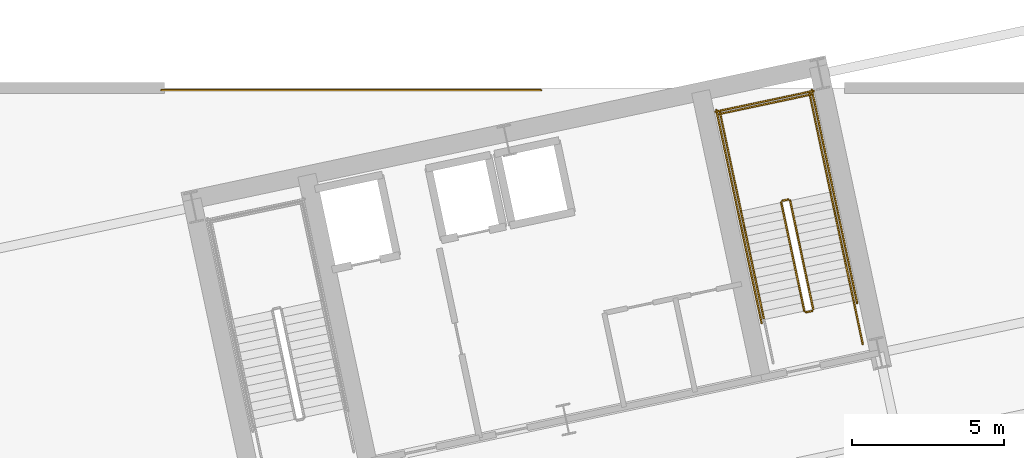
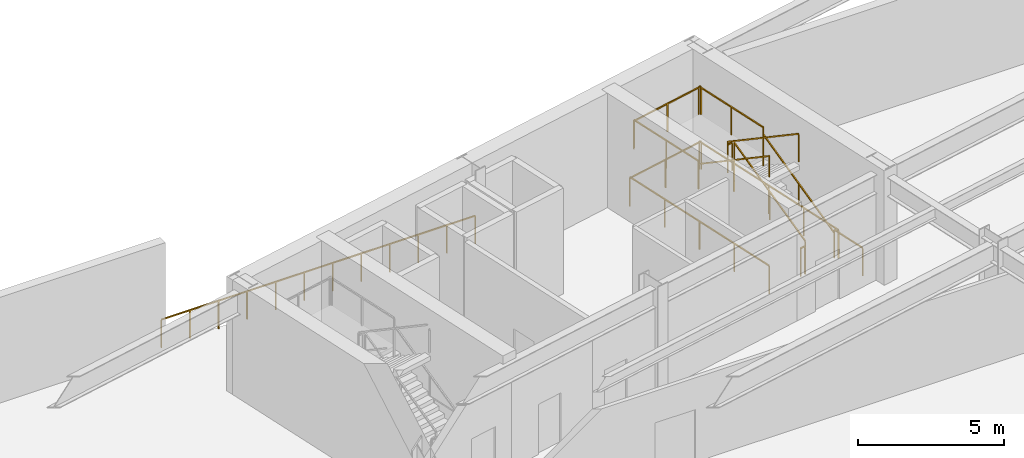
# One storey, part 34 of 35: 14 railings.
"""IFC4 building model written with IfcOpenShell, lengths in metres."""

from ifc_helpers import new_model, si_unit, direction, frame, origin, origin_2d, place, context, subcontext, project, spatial, rectangle, extrude, material, type_object, element, save


model = new_model("IFC4")

# Units and contexts
model_context = context("Model", 3, precision=1e-05, world=origin(), true_north=direction((0.0, 1.0)))
body_context = subcontext(model_context, "Body", "Model", "MODEL_VIEW")
ifc_project = project(units=[si_unit("LENGTHUNIT", "METRE"), si_unit("AREAUNIT", "SQUARE_METRE"), si_unit("VOLUMEUNIT", "CUBIC_METRE"), si_unit("PLANEANGLEUNIT", "RADIAN"), si_unit("MASSUNIT", "GRAM", prefix="KILO")], contexts=[model_context])

# Site, building, storey
site_placement = place(None, origin())
site = spatial("IfcSite", under=ifc_project, at=site_placement, CompositionType="ELEMENT")
building_placement = place(site_placement, origin())
building = spatial("IfcBuilding", under=site, at=building_placement, Name="Haevon Station Towers", CompositionType="ELEMENT")
storey_placement = place(building_placement, frame((0.0, 0.0, 20.39990234375)))
storey = spatial("IfcBuildingStorey", under=building, at=storey_placement, Name="L04", CompositionType="ELEMENT", Elevation=20.39990234375)

# Railings
ifc_material = material(Name="Steel S355", Category="steel")
railing_type_1 = type_object("IfcRailingType", Name="GRD-EXT1200", PredefinedType="GUARDRAIL", material=ifc_material)
railing_1_placement = place(storey_placement, frame((95.75, 50.419921875, 0.0)))
element("IfcRailing", 1, at=railing_1_placement, inside=storey, type_object=railing_type_1, Name="L04 North Podium Edge Guardrail", PredefinedType="GUARDRAIL", context=body_context, shape_type="SweptSolid", body=[
    extrude(rectangle(XDim=0.048095703125, YDim=0.048095703125, at=origin_2d()), frame((0.0, 0.0, 1.17578125), z_axis=(1.0, 0.0, 0.0), x_axis=(0.0, 1.0, 0.0)), (0.0, 0.0, 1.0), 12.449951171875),
    extrude(rectangle(XDim=0.0419921875, YDim=0.0419921875, at=origin_2d()), origin(), (0.0, 0.0, 1.0), 1.15185546875),
    extrude(rectangle(XDim=0.0419921875, YDim=0.0419921875, at=origin_2d()), frame((1.1318359375, 0.0, 0.0)), (0.0, 0.0, 1.0), 1.15185546875),
    extrude(rectangle(XDim=0.0419921875, YDim=0.0419921875, at=origin_2d()), frame((2.263671875, 0.0, 0.0)), (0.0, 0.0, 1.0), 1.15185546875),
    extrude(rectangle(XDim=0.0419921875, YDim=0.0419921875, at=origin_2d()), frame((3.3955078125, 0.0, 0.0)), (0.0, 0.0, 1.0), 1.15185546875),
    extrude(rectangle(XDim=0.0419921875, YDim=0.0419921875, at=origin_2d()), frame((4.52734375, 0.0, 0.0)), (0.0, 0.0, 1.0), 1.15185546875),
    extrude(rectangle(XDim=0.0419921875, YDim=0.0419921875, at=origin_2d()), frame((5.6591796875, 0.0, 0.0)), (0.0, 0.0, 1.0), 1.15185546875),
    extrude(rectangle(XDim=0.0419921875, YDim=0.0419921875, at=origin_2d()), frame((6.790771484375, 0.0, 0.0)), (0.0, 0.0, 1.0), 1.15185546875),
    extrude(rectangle(XDim=0.0419921875, YDim=0.0419921875, at=origin_2d()), frame((7.922607421875, 0.0, 0.0)), (0.0, 0.0, 1.0), 1.15185546875),
    extrude(rectangle(XDim=0.0419921875, YDim=0.0419921875, at=origin_2d()), frame((9.054443359375, 0.0, 0.0)), (0.0, 0.0, 1.0), 1.15185546875),
    extrude(rectangle(XDim=0.0419921875, YDim=0.0419921875, at=origin_2d()), frame((10.186279296875, 0.0, 0.0)), (0.0, 0.0, 1.0), 1.15185546875),
    extrude(rectangle(XDim=0.0419921875, YDim=0.0419921875, at=origin_2d()), frame((11.318115234375, 0.0, 0.0)), (0.0, 0.0, 1.0), 1.15185546875),
    extrude(rectangle(XDim=0.0419921875, YDim=0.0419921875, at=origin_2d()), frame((12.449951171875, 0.0, 0.0)), (0.0, 0.0, 1.0), 1.15185546875),
])
railing_type_2 = type_object("IfcRailingType", Name="GRD-STR1200", PredefinedType="GUARDRAIL", material=ifc_material)
railing_2_placement = place(storey_placement, frame((117.128662109375, 43.23974609375, 0.171630859375)))
element("IfcRailing", 2, at=railing_2_placement, inside=storey, type_object=railing_type_2, Name="L04 ST4 Stair Guard 1", PredefinedType="GUARDRAIL", context=body_context, shape_type="SweptSolid", body=[
    extrude(rectangle(XDim=0.048095703125, YDim=0.048095703125, at=origin_2d()), frame((0.0, 0.0, 1.17578125), z_axis=(-0.177324344861, 0.834225240467, 0.522134393512), x_axis=(-0.978146576304, -0.207916510322, 0.0)), (0.0, 0.0, 1.0), 4.26806640625),
    extrude(rectangle(XDim=0.0419921875, YDim=0.0419921875, at=origin_2d()), origin(), (0.0, 0.0, 1.0), 1.15185546875),
    extrude(rectangle(XDim=0.0419921875, YDim=0.0419921875, at=origin_2d()), frame((-0.37841796875, 1.7802734375, 1.1142578125)), (0.0, 0.0, 1.0), 1.15185546875),
    extrude(rectangle(XDim=0.0419921875, YDim=0.0419921875, at=origin_2d()), frame((-0.7568359375, 3.560546875, 2.228515625)), (0.0, 0.0, 1.0), 1.15185546875),
])
railing_3_placement = place(storey_placement, frame((116.3125, 46.838623046875, 2.400146484375)))
element("IfcRailing", 3, at=railing_3_placement, inside=storey, type_object=railing_type_2, Name="L04 ST4 Stair Guard 2", PredefinedType="GUARDRAIL", context=body_context, shape_type="SweptSolid", body=[
    extrude(rectangle(XDim=0.048095703125, YDim=0.048095703125, at=origin_2d()), frame((0.0, 0.0, 1.17578125), z_axis=(-0.978211583308, -0.207610448392, 0.0), x_axis=(0.207610448392, -0.978211583308, 0.0)), (0.0, 0.0, 1.0), 0.199951171875),
    extrude(rectangle(XDim=0.0419921875, YDim=0.0419921875, at=origin_2d()), origin(), (0.0, 0.0, 1.0), 1.15185546875),
    extrude(rectangle(XDim=0.0419921875, YDim=0.0419921875, at=origin_2d()), frame((-0.195556640625, -0.04150390625, 0.0)), (0.0, 0.0, 1.0), 1.15185546875),
])
for number, where, name in (
    (4, (117.6923828125, 47.080810546875, 2.400146484375), "L04 ST4 Stair Guard 3"),
    (5, (114.7578125, 46.45703125, 2.400146484375), "L04 ST4 Stair Guard 4"),
):
    element("IfcRailing", number, at=place(storey_placement, frame(where)), inside=storey, type_object=railing_type_2, Name=name, PredefinedType="GUARDRAIL", context=body_context, shape_type="SweptSolid", body=[
        extrude(rectangle(XDim=0.048095703125, YDim=0.048095703125, at=origin_2d()), frame((0.0, 0.0, 1.17578125), z_axis=(-0.207916974835, 0.978146477566, 0.0), x_axis=(-0.978146477566, -0.207916974835, 0.0)), (0.0, 0.0, 1.0), 3.31005859375),
        extrude(rectangle(XDim=0.0419921875, YDim=0.0419921875, at=origin_2d()), origin(), (0.0, 0.0, 1.0), 1.15185546875),
        extrude(rectangle(XDim=0.0419921875, YDim=0.0419921875, at=origin_2d()), frame((-0.34423828125, 1.618896484375, 0.0)), (0.0, 0.0, 1.0), 1.15185546875),
        extrude(rectangle(XDim=0.0419921875, YDim=0.0419921875, at=origin_2d()), frame((-0.688232421875, 3.23779296875, 0.0)), (0.0, 0.0, 1.0), 1.15185546875),
    ])
railing_4_placement = place(storey_placement, frame((117.0634765625, 50.280029296875, 2.400146484375)))
element("IfcRailing", 6, at=railing_4_placement, inside=storey, type_object=railing_type_2, Name="L04 ST4 Stair Guard 5", PredefinedType="GUARDRAIL", context=body_context, shape_type="SweptSolid", body=[
    extrude(rectangle(XDim=0.048095703125, YDim=0.048095703125, at=origin_2d()), frame((0.0, 0.0, 1.17578125), z_axis=(-0.978146839882, -0.207915270313, 0.0), x_axis=(0.207915270313, -0.978146839882, 0.0)), (0.0, 0.0, 1.0), 3.099853515625),
    extrude(rectangle(XDim=0.0419921875, YDim=0.0419921875, at=origin_2d()), origin(), (0.0, 0.0, 1.0), 1.15185546875),
    extrude(rectangle(XDim=0.0419921875, YDim=0.0419921875, at=origin_2d()), frame((-1.51611328125, -0.322265625, 0.0)), (0.0, 0.0, 1.0), 1.15185546875),
    extrude(rectangle(XDim=0.0419921875, YDim=0.0419921875, at=origin_2d()), frame((-3.0322265625, -0.64453125, 0.0)), (0.0, 0.0, 1.0), 1.15185546875),
])
railing_5_placement = place(storey_placement, frame((116.078369140625, 46.73779296875, 2.571533203125)))
element("IfcRailing", 7, at=railing_5_placement, inside=storey, type_object=railing_type_2, Name="L04 ST4 Stair Guard 6", PredefinedType="GUARDRAIL", context=body_context, shape_type="SweptSolid", body=[
    extrude(rectangle(XDim=0.048095703125, YDim=0.048095703125, at=origin_2d()), frame((0.0, 0.0, 1.17578125), z_axis=(0.177324344861, -0.834225240467, 0.522134393512), x_axis=(0.978146576304, 0.207916510322, 0.0)), (0.0, 0.0, 1.0), 4.26806640625),
    extrude(rectangle(XDim=0.0419921875, YDim=0.0419921875, at=origin_2d()), origin(), (0.0, 0.0, 1.0), 1.15185546875),
    extrude(rectangle(XDim=0.0419921875, YDim=0.0419921875, at=origin_2d()), frame((0.37841796875, -1.7802734375, 1.1142578125)), (0.0, 0.0, 1.0), 1.15185546875),
    extrude(rectangle(XDim=0.0419921875, YDim=0.0419921875, at=origin_2d()), frame((0.7568359375, -3.560546875, 2.228515625)), (0.0, 0.0, 1.0), 1.15185546875),
])
railing_6_placement = place(storey_placement, frame((117.090087890625, 43.180419921875, 0.0)))
element("IfcRailing", 8, at=railing_6_placement, inside=storey, type_object=railing_type_2, Name="L04 ST4 Stair Guard 7", PredefinedType="GUARDRAIL", context=body_context, shape_type="SweptSolid", body=[
    extrude(rectangle(XDim=0.048095703125, YDim=0.048095703125, at=origin_2d()), frame((0.0, 0.0, 1.17578125), z_axis=(-0.978211583308, -0.207610448392, 0.0), x_axis=(0.207610448392, -0.978211583308, 0.0)), (0.0, 0.0, 1.0), 0.199951171875),
    extrude(rectangle(XDim=0.0419921875, YDim=0.0419921875, at=origin_2d()), origin(), (0.0, 0.0, 1.0), 1.15185546875),
    extrude(rectangle(XDim=0.0419921875, YDim=0.0419921875, at=origin_2d()), frame((-0.195556640625, -0.04150390625, 0.0)), (0.0, 0.0, 1.0), 1.15185546875),
])
railing_7_placement = place(storey_placement, frame((118.75048828125, 42.10205078125, 0.0)))
element("IfcRailing", 9, at=railing_7_placement, inside=storey, type_object=railing_type_2, Name="L04 ST4 Stair Guard 8", PredefinedType="GUARDRAIL", context=body_context, shape_type="SweptSolid", body=[
    extrude(rectangle(XDim=0.048095703125, YDim=0.048095703125, at=origin_2d()), frame((0.0, 0.0, 1.17578125), z_axis=(-0.207919161079, 0.978146012851, 0.0), x_axis=(-0.978146012851, -0.207919161079, 0.0)), (0.0, 0.0, 1.0), 1.4501953125),
    extrude(rectangle(XDim=0.0419921875, YDim=0.0419921875, at=origin_2d()), origin(), (0.0, 0.0, 1.0), 1.15185546875),
    extrude(rectangle(XDim=0.0419921875, YDim=0.0419921875, at=origin_2d()), frame((-0.301513671875, 1.41845703125, 0.0)), (0.0, 0.0, 1.0), 1.15185546875),
])
railing_8_placement = place(storey_placement, frame((118.567626953125, 43.443359375, 0.0)))
element("IfcRailing", 10, at=railing_8_placement, inside=storey, type_object=railing_type_2, Name="L04 ST4 Stair Guard 10", PredefinedType="GUARDRAIL", context=body_context, shape_type="SweptSolid", body=[
    extrude(rectangle(XDim=0.048095703125, YDim=0.048095703125, at=origin_2d()), frame((0.0, 0.0, 1.17578125), z_axis=(-0.207908168386, 0.978148349443, 0.0), x_axis=(-0.978148349443, -0.207908168386, 0.0)), (0.0, 0.0, 1.0), 7.150146484375),
    extrude(rectangle(XDim=0.0419921875, YDim=0.0419921875, at=origin_2d()), origin(), (0.0, 0.0, 1.0), 1.15185546875),
    extrude(rectangle(XDim=0.0419921875, YDim=0.0419921875, at=origin_2d()), frame((-0.37158203125, 1.74853515625, 0.0)), (0.0, 0.0, 1.0), 1.15185546875),
    extrude(rectangle(XDim=0.0419921875, YDim=0.0419921875, at=origin_2d()), frame((-0.7431640625, 3.4970703125, 0.0)), (0.0, 0.0, 1.0), 1.15185546875),
    extrude(rectangle(XDim=0.0419921875, YDim=0.0419921875, at=origin_2d()), frame((-1.114990234375, 5.245361328125, 0.0)), (0.0, 0.0, 1.0), 1.15185546875),
    extrude(rectangle(XDim=0.0419921875, YDim=0.0419921875, at=origin_2d()), frame((-1.486572265625, 6.993896484375, 0.0)), (0.0, 0.0, 1.0), 1.15185546875),
])
railing_9_placement = place(storey_placement, frame((115.4375, 42.778076171875, 0.0)))
element("IfcRailing", 11, at=railing_9_placement, inside=storey, type_object=railing_type_2, Name="L04 ST4 Stair Guard 11", PredefinedType="GUARDRAIL", context=body_context, shape_type="SweptSolid", body=[
    extrude(rectangle(XDim=0.048095703125, YDim=0.048095703125, at=origin_2d()), frame((0.0, 0.0, 1.17578125), z_axis=(-0.207882442208, 0.978153817261, 0.0), x_axis=(-0.978153817261, -0.207882442208, 0.0)), (0.0, 0.0, 1.0), 7.14990234375),
    extrude(rectangle(XDim=0.0419921875, YDim=0.0419921875, at=origin_2d()), origin(), (0.0, 0.0, 1.0), 1.15185546875),
    extrude(rectangle(XDim=0.0419921875, YDim=0.0419921875, at=origin_2d()), frame((-0.37158203125, 1.74853515625, 0.0)), (0.0, 0.0, 1.0), 1.15185546875),
    extrude(rectangle(XDim=0.0419921875, YDim=0.0419921875, at=origin_2d()), frame((-0.7431640625, 3.496826171875, 0.0)), (0.0, 0.0, 1.0), 1.15185546875),
    extrude(rectangle(XDim=0.0419921875, YDim=0.0419921875, at=origin_2d()), frame((-1.11474609375, 5.2451171875, 0.0)), (0.0, 0.0, 1.0), 1.15185546875),
    extrude(rectangle(XDim=0.0419921875, YDim=0.0419921875, at=origin_2d()), frame((-1.486328125, 6.99365234375, 0.0)), (0.0, 0.0, 1.0), 1.15185546875),
])
railing_10_placement = place(storey_placement, frame((117.140380859375, 50.398681640625, 0.0)))
element("IfcRailing", 12, at=railing_10_placement, inside=storey, type_object=railing_type_2, Name="L04 ST4 Stair Guard 12", PredefinedType="GUARDRAIL", context=body_context, shape_type="SweptSolid", body=[
    extrude(rectangle(XDim=0.048095703125, YDim=0.048095703125, at=origin_2d()), frame((0.0, 0.0, 1.17578125), z_axis=(-0.978135717418, -0.207967589567, 0.0), x_axis=(0.207967589567, -0.978135717418, 0.0)), (0.0, 0.0, 1.0), 3.300048828125),
    extrude(rectangle(XDim=0.0419921875, YDim=0.0419921875, at=origin_2d()), origin(), (0.0, 0.0, 1.0), 1.15185546875),
    extrude(rectangle(XDim=0.0419921875, YDim=0.0419921875, at=origin_2d()), frame((-1.61376953125, -0.34326171875, 0.0)), (0.0, 0.0, 1.0), 1.15185546875),
    extrude(rectangle(XDim=0.0419921875, YDim=0.0419921875, at=origin_2d()), frame((-3.227783203125, -0.686279296875, 0.0)), (0.0, 0.0, 1.0), 1.15185546875),
])
railing_type_3 = type_object("IfcRailingType", Name="HND-STR900", PredefinedType="HANDRAIL", material=ifc_material)
railing_11_placement = place(storey_placement, frame((118.448974609375, 43.5205078125, 0.171630859375)))
element("IfcRailing", 13, at=railing_11_placement, inside=storey, type_object=railing_type_3, Name="L04 ST4 Stair Handrail 1", PredefinedType="HANDRAIL", context=body_context, shape_type="SweptSolid", body=[
    extrude(rectangle(XDim=0.048095703125, YDim=0.048095703125, at=origin_2d()), frame((0.0, 0.0, 0.8759765625), z_axis=(-0.17727740081, 0.834216307201, 0.522164606194), x_axis=(-0.978157316656, -0.207865975747, 0.0)), (0.0, 0.0, 1.0), 4.267822265625),
    extrude(rectangle(XDim=0.0419921875, YDim=0.0419921875, at=origin_2d()), origin(), (0.0, 0.0, 1.0), 0.851806640625),
    extrude(rectangle(XDim=0.0419921875, YDim=0.0419921875, at=origin_2d()), frame((-0.37841796875, 1.7802734375, 1.1142578125)), (0.0, 0.0, 1.0), 0.851806640625),
    extrude(rectangle(XDim=0.0419921875, YDim=0.0419921875, at=origin_2d()), frame((-0.756591796875, 3.560302734375, 2.228515625)), (0.0, 0.0, 1.0), 0.851806640625),
])
railing_12_placement = place(storey_placement, frame((114.7578125, 46.45703125, 2.571533203125)))
element("IfcRailing", 14, at=railing_12_placement, inside=storey, type_object=railing_type_3, Name="L04 ST4 Stair Handrail 2", PredefinedType="HANDRAIL", context=body_context, shape_type="SweptSolid", body=[
    extrude(rectangle(XDim=0.048095703125, YDim=0.048095703125, at=origin_2d()), frame((0.0, 0.0, 0.8759765625), z_axis=(0.17733280689, -0.834207846092, 0.522159310096), x_axis=(0.978143676638, 0.20793015138, 0.0)), (0.0, 0.0, 1.0), 4.267822265625),
    extrude(rectangle(XDim=0.0419921875, YDim=0.0419921875, at=origin_2d()), origin(), (0.0, 0.0, 1.0), 0.851806640625),
    extrude(rectangle(XDim=0.0419921875, YDim=0.0419921875, at=origin_2d()), frame((0.37841796875, -1.7802734375, 1.1142578125)), (0.0, 0.0, 1.0), 0.851806640625),
    extrude(rectangle(XDim=0.0419921875, YDim=0.0419921875, at=origin_2d()), frame((0.7568359375, -3.560302734375, 2.228515625)), (0.0, 0.0, 1.0), 0.851806640625),
])

save(model, "model.ifc")
